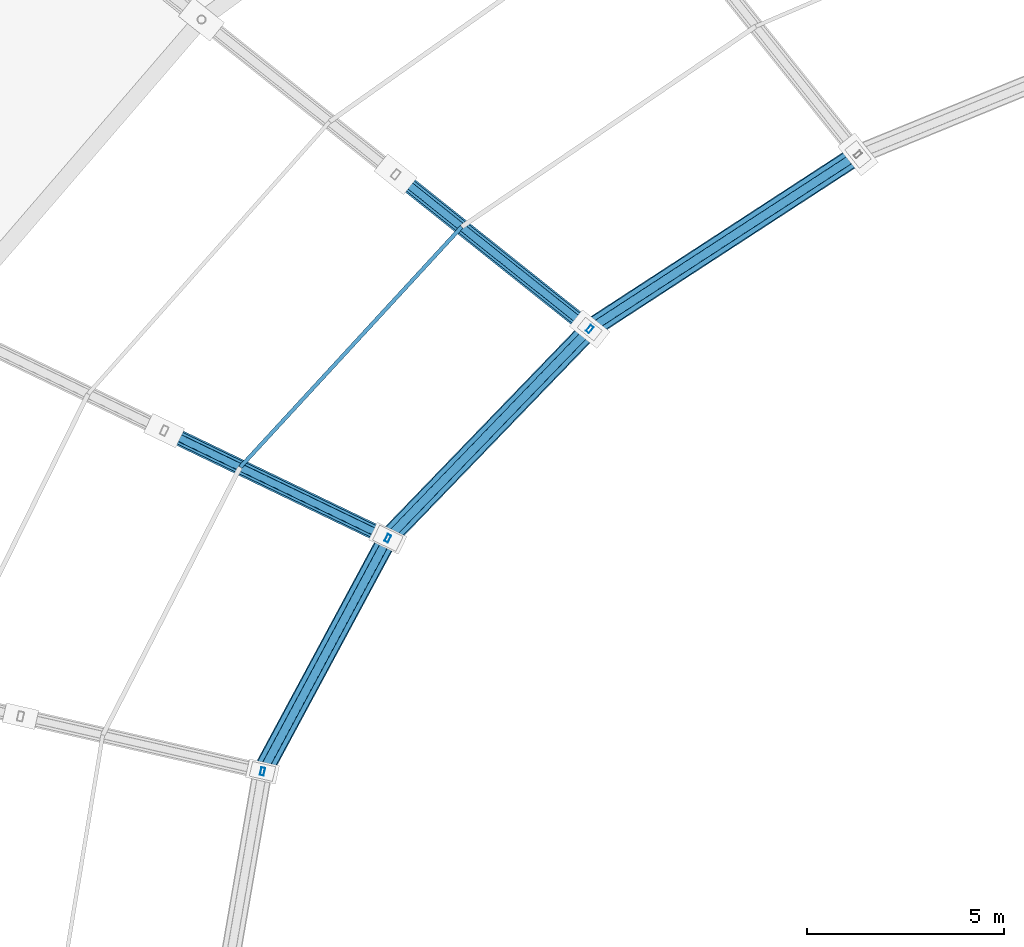
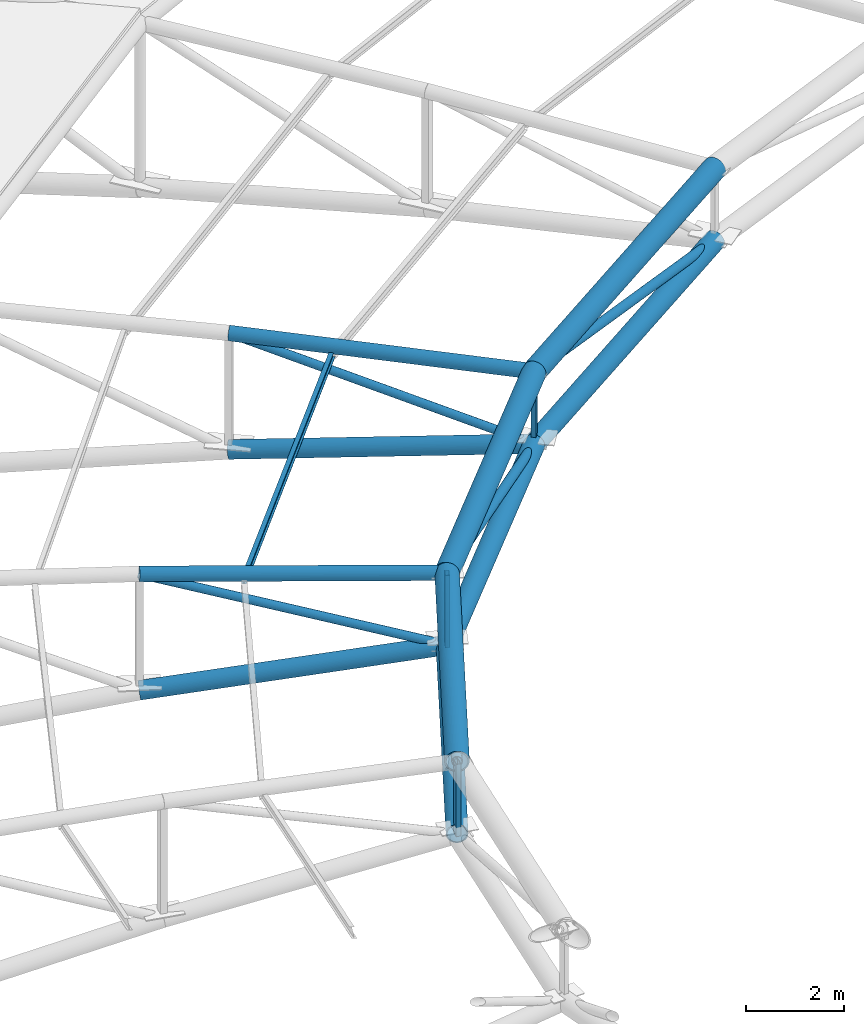
# One storey, part 36 of 108: 19 members.
"""IFC4 building model written with IfcOpenShell, lengths in metres."""

from ifc_helpers import new_model, si_unit, direction, frame, origin, origin_2d, place, context, subcontext, project, spatial, hollow_rectangle, hollow_circle, i_section, extrude, material, material_profile, profile_set, type_object, element, save


model = new_model("IFC4")

# Units and contexts
model_context = context("Model", 3, precision=1e-05, world=origin(), true_north=direction((0.0, 1.0)))
body_context = subcontext(model_context, "Body", "Model", "MODEL_VIEW")
ifc_project = project(units=[si_unit("LENGTHUNIT", "METRE"), si_unit("AREAUNIT", "SQUARE_METRE"), si_unit("VOLUMEUNIT", "CUBIC_METRE"), si_unit("PLANEANGLEUNIT", "RADIAN"), si_unit("MASSUNIT", "GRAM", prefix="KILO")], contexts=[model_context])

# Site, building, storey
site_placement = place(None, origin())
site = spatial("IfcSite", under=ifc_project, at=site_placement, CompositionType="ELEMENT")
building_placement = place(site_placement, origin())
building = spatial("IfcBuilding", under=site, at=building_placement, Name="Zevraka Park Crest Stadium", CompositionType="ELEMENT")
storey_placement = place(building_placement, frame((0.0, 0.0, 29.39990234375)))
storey = spatial("IfcBuildingStorey", under=building, at=storey_placement, Name="RF", CompositionType="ELEMENT", Elevation=29.39990234375)

# Members
ifc_material_1 = material(Name="Steel S355", Category="steel")
ifc_material_profile_1 = material_profile(ifc_material_1, i_section(OverallWidth=0.10009765625, OverallDepth=0.199951171875, WebThickness=0.005615234375, FlangeThickness=0.008544921875, at=origin_2d()), Name="IPE 200")
ifc_profile_set_1 = profile_set([ifc_material_profile_1], Name="Steel S355")
member_type_1 = type_object("IfcMemberType", Name="PR03", PredefinedType="PURLIN", material=ifc_profile_set_1)
member_1_placement = place(storey_placement, frame((75.1298828125, 112.050048828125, 9.037109375), z_axis=(-0.677613259557, -0.735418432236, 0.0), x_axis=(0.735418432236, -0.677613259557, 0.0)))
element("IfcMember", 1, at=member_1_placement, inside=storey, type_object=member_type_1, Name="Canopy Roof Purlin PR03 INNER-12-2", PredefinedType="PURLIN", context=body_context, shape_type="SweptSolid", body=[
    extrude(i_section(OverallWidth=0.10009765625, OverallDepth=0.199951171875, WebThickness=0.005615234375, FlangeThickness=0.008544921875, at=origin_2d()), origin(), (0.0, 0.0, 1.0), 8.290771484375),
])
ifc_material_2 = material(Name="Steel S355", Category="steel")
ifc_material_profile_2 = material_profile(ifc_material_2, hollow_circle(Radius=0.25390625, WallThickness=0.030029296875, at=origin_2d()), Name="CHS 508.0x30")
ifc_profile_set_2 = profile_set([ifc_material_profile_2], Name="Steel S355")
member_type_2 = type_object("IfcMemberType", Name="TC01", PredefinedType="CHORD", material=ifc_profile_set_2)
member_2_placement = place(storey_placement, frame((85.18994140625, 113.89111328125, 9.0), z_axis=(-0.838029398843, -0.545625078855, 0.0), x_axis=(0.545625078855, -0.838029398843, 0.0)))
element("IfcMember", 2, at=member_2_placement, inside=storey, type_object=member_type_2, Name="Roof Inner Oculus Compression-Tension Ring TC01 11", PredefinedType="CHORD", context=body_context, shape_type="SweptSolid", body=[
    extrude(hollow_circle(Radius=0.25390625, WallThickness=0.030029296875, at=origin_2d()), origin(), (0.0, 0.0, 1.0), 8.124755859375),
])
member_3_placement = place(storey_placement, frame((78.381103515625, 109.4580078125, 9.0), z_axis=(-0.694386610614, -0.7196021366, 0.0), x_axis=(0.7196021366, -0.694386610614, 0.0)))
element("IfcMember", 3, at=member_3_placement, inside=storey, type_object=member_type_2, Name="Roof Inner Oculus Compression-Tension Ring TC01 12", PredefinedType="CHORD", context=body_context, shape_type="SweptSolid", body=[
    extrude(hollow_circle(Radius=0.25390625, WallThickness=0.030029296875, at=origin_2d()), origin(), (0.0, 0.0, 1.0), 7.377685546875),
])
member_4_placement = place(storey_placement, frame((73.258056640625, 104.14892578125, 9.0), z_axis=(-0.473358528997, -0.880869855896, 0.0), x_axis=(0.880869855896, -0.473358528997, 0.0)))
element("IfcMember", 4, at=member_4_placement, inside=storey, type_object=member_type_2, Name="Roof Inner Oculus Compression-Tension Ring TC01 13", PredefinedType="CHORD", context=body_context, shape_type="SweptSolid", body=[
    extrude(hollow_circle(Radius=0.25390625, WallThickness=0.030029296875, at=origin_2d()), origin(), (0.0, 0.0, 1.0), 6.71826171875),
])
ifc_material_3 = material(Name="Steel S355", Category="steel")
ifc_material_profile_3 = material_profile(ifc_material_3, hollow_circle(Radius=0.228515625, WallThickness=0.02490234375, at=origin_2d()), Name="CHS 457.0x25")
ifc_profile_set_3 = profile_set([ifc_material_profile_3], Name="Steel S355")
member_type_3 = type_object("IfcMemberType", Name="TC02", PredefinedType="CHORD", material=ifc_profile_set_3)
member_5_placement = place(storey_placement, frame((85.18994140625, 113.89111328125, 7.2001953125), z_axis=(-0.838029398843, -0.545625078855, 0.0), x_axis=(0.545625078855, -0.838029398843, 0.0)))
element("IfcMember", 5, at=member_5_placement, inside=storey, type_object=member_type_3, Name="Roof Inner Oculus Bottom Ring TC02 11", PredefinedType="CHORD", context=body_context, shape_type="SweptSolid", body=[
    extrude(hollow_circle(Radius=0.228515625, WallThickness=0.02490234375, at=origin_2d()), origin(), (0.0, 0.0, 1.0), 8.124755859375),
])
member_6_placement = place(storey_placement, frame((78.381103515625, 109.4580078125, 7.2001953125), z_axis=(-0.694386610614, -0.7196021366, 0.0), x_axis=(0.7196021366, -0.694386610614, 0.0)))
element("IfcMember", 6, at=member_6_placement, inside=storey, type_object=member_type_3, Name="Roof Inner Oculus Bottom Ring TC02 12", PredefinedType="CHORD", context=body_context, shape_type="SweptSolid", body=[
    extrude(hollow_circle(Radius=0.228515625, WallThickness=0.02490234375, at=origin_2d()), origin(), (0.0, 0.0, 1.0), 7.377685546875),
])
member_7_placement = place(storey_placement, frame((73.258056640625, 104.14892578125, 7.2001953125), z_axis=(-0.473358528997, -0.880869855896, 0.0), x_axis=(0.880869855896, -0.473358528997, 0.0)))
element("IfcMember", 7, at=member_7_placement, inside=storey, type_object=member_type_3, Name="Roof Inner Oculus Bottom Ring TC02 13", PredefinedType="CHORD", context=body_context, shape_type="SweptSolid", body=[
    extrude(hollow_circle(Radius=0.228515625, WallThickness=0.02490234375, at=origin_2d()), origin(), (0.0, 0.0, 1.0), 6.71826171875),
])
ifc_material_4 = material(Name="Steel S355", Category="steel")
ifc_material_profile_4 = material_profile(ifc_material_4, hollow_circle(Radius=0.203125, WallThickness=0.02001953125, at=origin_2d()), Name="CHS 406.4x20")
ifc_profile_set_4 = profile_set([ifc_material_profile_4], Name="Steel S355")
member_type_4 = type_object("IfcMemberType", Name="TC03", PredefinedType="CHORD", material=ifc_profile_set_4)
member_8_placement = place(storey_placement, frame((73.4560546875, 113.385986328125, 6.400146484375), z_axis=(0.775572281546, -0.618558590086, 0.125987724514), x_axis=(0.623526977414, 0.781801834506, 0.0)))
element("IfcMember", 8, at=member_8_placement, inside=storey, type_object=member_type_4, Name="Roof Truss Bottom Chord TC03 T12-7", PredefinedType="CHORD", context=body_context, shape_type="SweptSolid", body=[
    extrude(hollow_circle(Radius=0.203125, WallThickness=0.02001953125, at=origin_2d()), origin(), (0.0, 0.0, 1.0), 6.35009765625),
])
member_9_placement = place(storey_placement, frame((67.58203125, 106.882080078125, 6.400146484375), z_axis=(0.893807131385, -0.430391450637, 0.125984170052), x_axis=(0.433848244141, 0.900985960521, 0.0)))
element("IfcMember", 9, at=member_9_placement, inside=storey, type_object=member_type_4, Name="Roof Truss Bottom Chord TC03 T13-7", PredefinedType="CHORD", context=body_context, shape_type="SweptSolid", body=[
    extrude(hollow_circle(Radius=0.203125, WallThickness=0.02001953125, at=origin_2d()), origin(), (0.0, 0.0, 1.0), 6.350341796875),
])
ifc_material_5 = material(Name="Steel S355", Category="steel")
ifc_material_profile_5 = material_profile(ifc_material_5, hollow_circle(Radius=0.161865234375, WallThickness=0.01611328125, at=origin_2d()), Name="CHS 323.9x16")
ifc_profile_set_5 = profile_set([ifc_material_profile_5], Name="Steel S355")
member_type_5 = type_object("IfcMemberType", Name="TC04", PredefinedType="CHORD", material=ifc_profile_set_5)
member_10_placement = place(storey_placement, frame((73.4560546875, 113.385986328125, 9.300048828125), z_axis=(0.78091654628, -0.622820914742, -0.047575791175), x_axis=(0.623526977414, 0.781801834506, 0.0)))
element("IfcMember", 10, at=member_10_placement, inside=storey, type_object=member_type_5, Name="Roof Truss Top Chord TC04 T12-7", PredefinedType="CHORD", context=body_context, shape_type="SweptSolid", body=[
    extrude(hollow_circle(Radius=0.161865234375, WallThickness=0.01611328125, at=origin_2d()), origin(), (0.0, 0.0, 1.0), 6.306640625),
])
member_11_placement = place(storey_placement, frame((67.58203125, 106.882080078125, 9.300048828125), z_axis=(0.899965770272, -0.433356995922, -0.04757443037), x_axis=(0.433848244141, 0.900985960521, 0.0)))
element("IfcMember", 11, at=member_11_placement, inside=storey, type_object=member_type_5, Name="Roof Truss Top Chord TC04 T13-7", PredefinedType="CHORD", context=body_context, shape_type="SweptSolid", body=[
    extrude(hollow_circle(Radius=0.161865234375, WallThickness=0.01611328125, at=origin_2d()), origin(), (0.0, 0.0, 1.0), 6.306884765625),
])
ifc_material_6 = material(Name="Steel S355", Category="steel")
ifc_material_profile_6 = material_profile(ifc_material_6, hollow_circle(Radius=0.109619140625, WallThickness=0.010009765625, at=origin_2d()), Name="CHS 219.1x10")
ifc_profile_set_6 = profile_set([ifc_material_profile_6], Name="Steel S355")
member_type_6 = type_object("IfcMemberType", Name="WB02", PredefinedType="BRACE", material=ifc_profile_set_6)
member_12_placement = place(storey_placement, frame((85.18994140625, 113.89111328125, 7.2001953125), z_axis=(-0.81819505731, -0.53271131452, 0.216276451737), x_axis=(0.545625078855, -0.838029398843, 0.0)))
element("IfcMember", 12, at=member_12_placement, inside=storey, type_object=member_type_6, Name="Roof Oculus Ring Brace WB02 11", PredefinedType="BRACE", context=body_context, shape_type="SweptSolid", body=[
    extrude(hollow_circle(Radius=0.109619140625, WallThickness=0.010009765625, at=origin_2d()), origin(), (0.0, 0.0, 1.0), 8.32177734375),
])
member_13_placement = place(storey_placement, frame((78.381103515625, 109.4580078125, 7.2001953125), z_axis=(-0.674603540831, -0.699100676655, 0.236998537124), x_axis=(0.7196021366, -0.694386610614, 0.0)))
element("IfcMember", 13, at=member_13_placement, inside=storey, type_object=member_type_6, Name="Roof Oculus Ring Brace WB02 12", PredefinedType="BRACE", context=body_context, shape_type="SweptSolid", body=[
    extrude(hollow_circle(Radius=0.109619140625, WallThickness=0.010009765625, at=origin_2d()), origin(), (0.0, 0.0, 1.0), 7.59423828125),
])
member_14_placement = place(storey_placement, frame((73.258056640625, 104.14892578125, 7.2001953125), z_axis=(-0.457235432821, -0.850866489451, 0.258770122122), x_axis=(0.880869855896, -0.473358528997, 0.0)))
element("IfcMember", 14, at=member_14_placement, inside=storey, type_object=member_type_6, Name="Roof Oculus Ring Brace WB02 13", PredefinedType="BRACE", context=body_context, shape_type="SweptSolid", body=[
    extrude(hollow_circle(Radius=0.109619140625, WallThickness=0.010009765625, at=origin_2d()), origin(), (0.0, 0.0, 1.0), 6.955322265625),
])
ifc_material_7 = material(Name="Steel S355", Category="steel")
ifc_material_profile_7 = material_profile(ifc_material_7, hollow_rectangle(XDim=0.10009765625, YDim=0.199951171875, WallThickness=0.008056640625, at=origin_2d()), Name="RHS 200x100x8")
ifc_profile_set_7 = profile_set([ifc_material_profile_7], Name="Steel S355")
member_type_7 = type_object("IfcMemberType", Name="WB05", PredefinedType="BRACE", material=ifc_profile_set_7)
for number, where, z_axis, x_axis, name in (
    (15, (78.381103515625, 109.4580078125, 7.2001953125), (0.0, 0.0, 1.0), (-0.781847027868, 0.623470308046, 0.0), "Roof Truss Web Post WB05 T12-7"),
    (16, (73.258056640625, 104.14892578125, 7.2001953125), (0.0, 0.0, 1.0), (-0.90100131981, 0.43381634559, 0.0), "Roof Truss Web Post WB05 T13-7"),
    (17, (70.077880859375, 98.23095703125, 7.2001953125), (0.0, 0.0, 1.0), (-0.974916814618, 0.222569549971, 0.0), "Roof Truss Web Post WB05 T14-7"),
):
    element("IfcMember", number, at=place(storey_placement, frame(where, z_axis=z_axis, x_axis=x_axis)), inside=storey, type_object=member_type_7, Name=name, PredefinedType="BRACE", context=body_context, shape_type="SweptSolid", body=[
        extrude(hollow_rectangle(XDim=0.10009765625, YDim=0.199951171875, WallThickness=0.008056640625, at=origin_2d()), origin(), (0.0, 0.0, 1.0), 1.7998046875),
    ])
ifc_material_8 = material(Name="Steel S355", Category="steel")
ifc_material_profile_8 = material_profile(ifc_material_8, hollow_circle(Radius=0.096923828125, WallThickness=0.010009765625, at=origin_2d()), Name="CHS 193.7x10")
ifc_profile_set_8 = profile_set([ifc_material_profile_8], Name="Steel S355")
member_type_8 = type_object("IfcMemberType", Name="WB08", PredefinedType="BRACE", material=ifc_profile_set_8)
member_15_placement = place(storey_placement, frame((78.381103515625, 109.4580078125, 7.2001953125), z_axis=(-0.741682957745, 0.591530119821, 0.316225406214), x_axis=(-0.623526977414, -0.781801834506, 0.0)))
element("IfcMember", 18, at=member_15_placement, inside=storey, type_object=member_type_8, Name="Roof Truss Web Diagonal WB08 T12-7", PredefinedType="BRACE", context=body_context, shape_type="SweptSolid", body=[
    extrude(hollow_circle(Radius=0.096923828125, WallThickness=0.010009765625, at=origin_2d()), origin(), (0.0, 0.0, 1.0), 6.640380859375),
])
member_16_placement = place(storey_placement, frame((73.258056640625, 104.14892578125, 7.2001953125), z_axis=(-0.854753491558, 0.411586104262, 0.316217247232), x_axis=(-0.433848244141, -0.900985960521, 0.0)))
element("IfcMember", 19, at=member_16_placement, inside=storey, type_object=member_type_8, Name="Roof Truss Web Diagonal WB08 T13-7", PredefinedType="BRACE", context=body_context, shape_type="SweptSolid", body=[
    extrude(hollow_circle(Radius=0.096923828125, WallThickness=0.010009765625, at=origin_2d()), origin(), (0.0, 0.0, 1.0), 6.640625),
])

save(model, "model.ifc")
